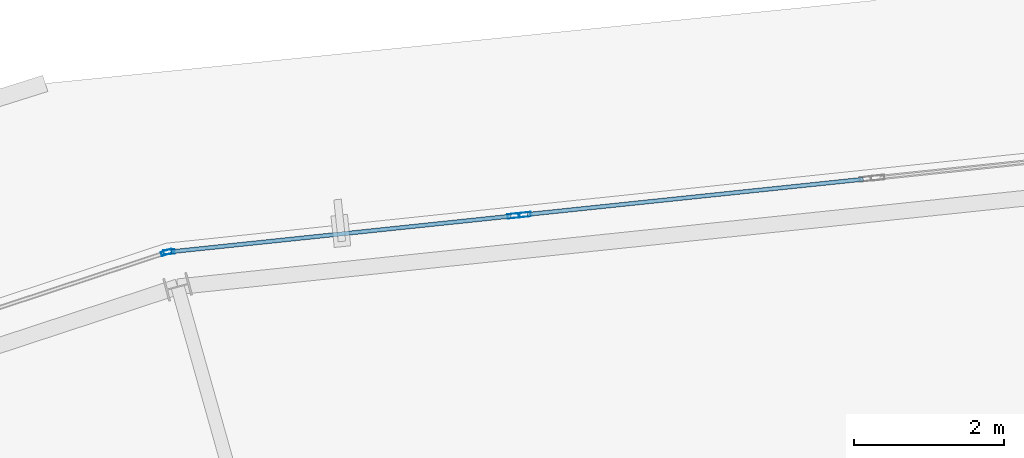
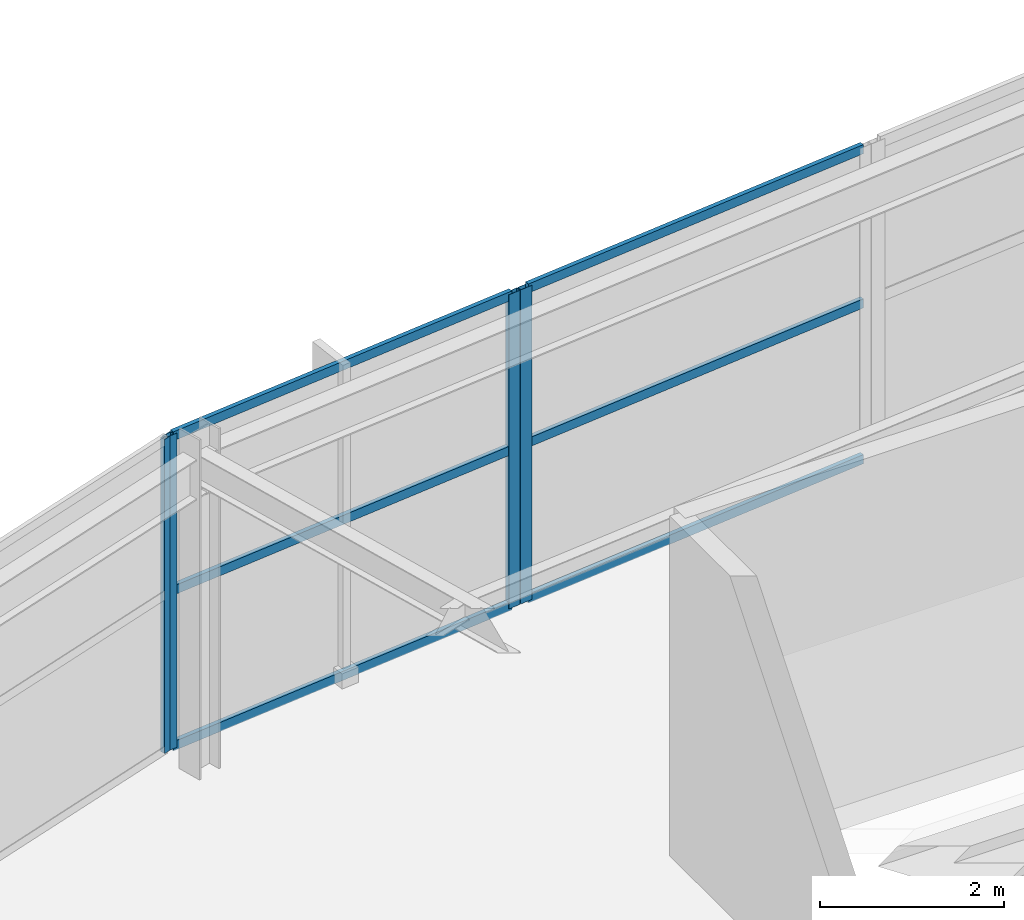
# One storey, part 69 of 126: 10 members, 3 elements without a shape of their own.
"""IFC4 building model written with IfcOpenShell, lengths in metres."""

from ifc_helpers import new_model, si_unit, direction, frame, origin, origin_2d, place, context, subcontext, project, spatial, hollow_rectangle, extrude, material, layer, layer_set, material_profile, profile_set, type_object, element, aggregate, save


model = new_model("IFC4")

# Units and contexts
model_context = context("Model", 3, precision=1e-05, world=origin(), true_north=direction((0.0, 1.0)))
body_context = subcontext(model_context, "Body", "Model", "MODEL_VIEW")
ifc_project = project(units=[si_unit("LENGTHUNIT", "METRE"), si_unit("AREAUNIT", "SQUARE_METRE"), si_unit("VOLUMEUNIT", "CUBIC_METRE"), si_unit("PLANEANGLEUNIT", "RADIAN"), si_unit("MASSUNIT", "GRAM", prefix="KILO")], contexts=[model_context])

# Site, building, storey
site_placement = place(None, origin())
site = spatial("IfcSite", under=ifc_project, at=site_placement, CompositionType="ELEMENT")
building_placement = place(site_placement, origin())
building = spatial("IfcBuilding", under=site, at=building_placement, Name="Kalgoora Escarpment Arena", CompositionType="ELEMENT")
storey_placement = place(building_placement, frame((0.0, 0.0, 18.89990234375)))
storey = spatial("IfcBuildingStorey", under=building, at=storey_placement, Name="L04", CompositionType="ELEMENT", Elevation=18.89990234375)

# Curtain wall, member
ifc_material_1 = material(Name=" Champagne anodised aluminium & double-glazed low-E", Category="aluminium")
ifc_layer_1 = layer(ifc_material_1, 0.162109375)
ifc_layer_set_1 = layer_set([ifc_layer_1], Name="CW-UNIT-18")
curtain_wall_type_1 = type_object("IfcCurtainWallType", Name="CW-UNIT-18", PredefinedType="NOTDEFINED", material=ifc_layer_set_1)
curtain_wall_1_placement = place(storey_placement, origin())
curtain_wall_1 = element("IfcCurtainWall", 1, at=curtain_wall_1_placement, inside=storey, type_object=curtain_wall_type_1, Name="L04 unitised facade curtain wall 157", PredefinedType="NOTDEFINED")
ifc_material_2 = material(Name="Anodised aluminium 6063-T6", Category="aluminium")
ifc_material_profile_1 = material_profile(ifc_material_2, hollow_rectangle(XDim=0.06005859375, YDim=0.14990234375, WallThickness=0.00341796875, at=origin_2d()))
ifc_profile_set_1 = profile_set([ifc_material_profile_1], Name="Anodised aluminium 6063-T6")
member_type_1 = type_object("IfcMemberType", Name="MEM-CW-MULL-150", PredefinedType="MULLION", material=ifc_profile_set_1)
member_1_placement = place(storey_placement, frame((73.670654296875, 119.513916015625, 0.02001953125), z_axis=(0.0, 0.0, 1.0), x_axis=(-0.312979322933, 0.949759939888, 0.0)))
member_1 = element("IfcMember", 2, at=member_1_placement, type_object=member_type_1, Name="CW-18 mullion 2", PredefinedType="MULLION", context=body_context, shape_type="SweptSolid", body=[
    extrude(hollow_rectangle(XDim=0.06005859375, YDim=0.14990234375, WallThickness=0.00341796875, at=origin_2d()), origin(), (0.0, 0.0, 1.0), 4.16015625),
])
aggregate(curtain_wall_1, [member_1])

# Curtain wall, members
ifc_material_3 = material(Name=" Champagne anodised aluminium & double-glazed low-E", Category="aluminium")
ifc_layer_2 = layer(ifc_material_3, 0.166015625)
ifc_layer_set_2 = layer_set([ifc_layer_2], Name="CW-UNIT-19")
curtain_wall_type_2 = type_object("IfcCurtainWallType", Name="CW-UNIT-19", PredefinedType="NOTDEFINED", material=ifc_layer_set_2)
curtain_wall_2_placement = place(storey_placement, origin())
curtain_wall_2 = element("IfcCurtainWall", 3, at=curtain_wall_2_placement, inside=storey, type_object=curtain_wall_type_2, Name="L04 unitised facade curtain wall 158", PredefinedType="NOTDEFINED")
member_2_placement = place(storey_placement, frame((73.703857421875, 119.521240234375, 0.02001953125), z_axis=(0.0, 0.0, 1.0), x_axis=(-0.10415754759, 0.994560810247, 0.0)))
member_2 = element("IfcMember", 4, at=member_2_placement, type_object=member_type_1, Name="CW-19 mullion 1", PredefinedType="MULLION", context=body_context, shape_type="SweptSolid", body=[
    extrude(hollow_rectangle(XDim=0.06005859375, YDim=0.14990234375, WallThickness=0.00341796875, at=origin_2d()), origin(), (0.0, 0.0, 1.0), 4.16015625),
])
member_3_placement = place(storey_placement, frame((78.279052734375, 120.000244140625, 0.02001953125), z_axis=(0.0, 0.0, 1.0), x_axis=(-0.10415754759, 0.994560810247, 0.0)))
member_3 = element("IfcMember", 5, at=member_3_placement, type_object=member_type_1, Name="CW-19 mullion 2", PredefinedType="MULLION", context=body_context, shape_type="SweptSolid", body=[
    extrude(hollow_rectangle(XDim=0.06005859375, YDim=0.14990234375, WallThickness=0.00341796875, at=origin_2d()), origin(), (0.0, 0.0, 1.0), 4.16015625),
])

# Curtain wall, member
ifc_material_4 = material(Name=" Champagne anodised aluminium & double-glazed low-E", Category="aluminium")
ifc_layer_3 = layer(ifc_material_4, 0.14990234375)
ifc_layer_set_3 = layer_set([ifc_layer_3], Name="CW-UNIT-20")
curtain_wall_type_3 = type_object("IfcCurtainWallType", Name="CW-UNIT-20", PredefinedType="NOTDEFINED", material=ifc_layer_set_3)
curtain_wall_3_placement = place(storey_placement, origin())
curtain_wall_3 = element("IfcCurtainWall", 6, at=curtain_wall_3_placement, inside=storey, type_object=curtain_wall_type_3, Name="L04 unitised facade curtain wall 159", PredefinedType="NOTDEFINED")
member_4_placement = place(storey_placement, frame((78.438232421875, 120.016845703125, 0.02001953125), z_axis=(0.0, 0.0, 1.0), x_axis=(-0.104182310405, 0.994558216596, 0.0)))
member_4 = element("IfcMember", 7, at=member_4_placement, type_object=member_type_1, Name="CW-20 mullion 1", PredefinedType="MULLION", context=body_context, shape_type="SweptSolid", body=[
    extrude(hollow_rectangle(XDim=0.06005859375, YDim=0.14990234375, WallThickness=0.00341796875, at=origin_2d()), origin(), (0.0, 0.0, 1.0), 4.16015625),
])

# Member
ifc_material_5 = material(Name="Anodised aluminium 6063-T6", Category="aluminium")
ifc_material_profile_2 = material_profile(ifc_material_5, hollow_rectangle(XDim=0.054931640625, YDim=0.1201171875, WallThickness=0.003173828125, at=origin_2d()))
ifc_profile_set_2 = profile_set([ifc_material_profile_2], Name="Anodised aluminium 6063-T6")
member_type_2 = type_object("IfcMemberType", Name="MEM-CW-TRAN-120", PredefinedType="USERDEFINED", material=ifc_profile_set_2)
member_5_placement = place(storey_placement, frame((73.733642578125, 119.524169921875, 0.047607421875), z_axis=(0.994560999051, 0.104155744764, 0.0), x_axis=(-0.104155744764, 0.994560999051, 0.0)))
member_5 = element("IfcMember", 8, at=member_5_placement, type_object=member_type_2, Name="CW-19 transom 1.1", ObjectType="TRANSOM", PredefinedType="USERDEFINED", context=body_context, shape_type="SweptSolid", body=[
    extrude(hollow_rectangle(XDim=0.054931640625, YDim=0.1201171875, WallThickness=0.003173828125, at=origin_2d()), origin(), (0.0, 0.0, 1.0), 4.540283203125),
])

member_6_placement = place(storey_placement, frame((73.733642578125, 119.524169921875, 2.110107421875), z_axis=(0.994560999051, 0.104155744764, 0.0), x_axis=(-0.104155744764, 0.994560999051, 0.0)))
member_6 = element("IfcMember", 9, at=member_6_placement, type_object=member_type_2, Name="CW-19 transom 1.2", ObjectType="TRANSOM", PredefinedType="USERDEFINED", context=body_context, shape_type="SweptSolid", body=[
    extrude(hollow_rectangle(XDim=0.054931640625, YDim=0.1201171875, WallThickness=0.003173828125, at=origin_2d()), origin(), (0.0, 0.0, 1.0), 4.540283203125),
])

member_7_placement = place(storey_placement, frame((73.733642578125, 119.524169921875, 4.152587890625), z_axis=(0.994560999051, 0.104155744764, 0.0), x_axis=(-0.104155744764, 0.994560999051, 0.0)))
member_7 = element("IfcMember", 10, at=member_7_placement, type_object=member_type_2, Name="CW-19 transom 1.3", ObjectType="TRANSOM", PredefinedType="USERDEFINED", context=body_context, shape_type="SweptSolid", body=[
    extrude(hollow_rectangle(XDim=0.054931640625, YDim=0.1201171875, WallThickness=0.003173828125, at=origin_2d()), origin(), (0.0, 0.0, 1.0), 4.540283203125),
])

aggregate(curtain_wall_2, [member_2, member_3, member_5, member_6, member_7])

member_8_placement = place(storey_placement, frame((78.468017578125, 120.02001953125, 0.047607421875), z_axis=(0.994558948875, 0.104175319596, 0.0), x_axis=(-0.104175319596, 0.994558948875, 0.0)))
member_8 = element("IfcMember", 11, at=member_8_placement, type_object=member_type_2, Name="CW-20 transom 1.1", ObjectType="TRANSOM", PredefinedType="USERDEFINED", context=body_context, shape_type="SweptSolid", body=[
    extrude(hollow_rectangle(XDim=0.054931640625, YDim=0.1201171875, WallThickness=0.003173828125, at=origin_2d()), origin(), (0.0, 0.0, 1.0), 4.490234375),
])

member_9_placement = place(storey_placement, frame((78.468017578125, 120.02001953125, 2.110107421875), z_axis=(0.994558948875, 0.104175319596, 0.0), x_axis=(-0.104175319596, 0.994558948875, 0.0)))
member_9 = element("IfcMember", 12, at=member_9_placement, type_object=member_type_2, Name="CW-20 transom 1.2", ObjectType="TRANSOM", PredefinedType="USERDEFINED", context=body_context, shape_type="SweptSolid", body=[
    extrude(hollow_rectangle(XDim=0.054931640625, YDim=0.1201171875, WallThickness=0.003173828125, at=origin_2d()), origin(), (0.0, 0.0, 1.0), 4.490234375),
])

member_10_placement = place(storey_placement, frame((78.468017578125, 120.02001953125, 4.152587890625), z_axis=(0.994558948875, 0.104175319596, 0.0), x_axis=(-0.104175319596, 0.994558948875, 0.0)))
member_10 = element("IfcMember", 13, at=member_10_placement, type_object=member_type_2, Name="CW-20 transom 1.3", ObjectType="TRANSOM", PredefinedType="USERDEFINED", context=body_context, shape_type="SweptSolid", body=[
    extrude(hollow_rectangle(XDim=0.054931640625, YDim=0.1201171875, WallThickness=0.003173828125, at=origin_2d()), origin(), (0.0, 0.0, 1.0), 4.490234375),
])

aggregate(curtain_wall_3, [member_4, member_8, member_9, member_10])

save(model, "model.ifc")
